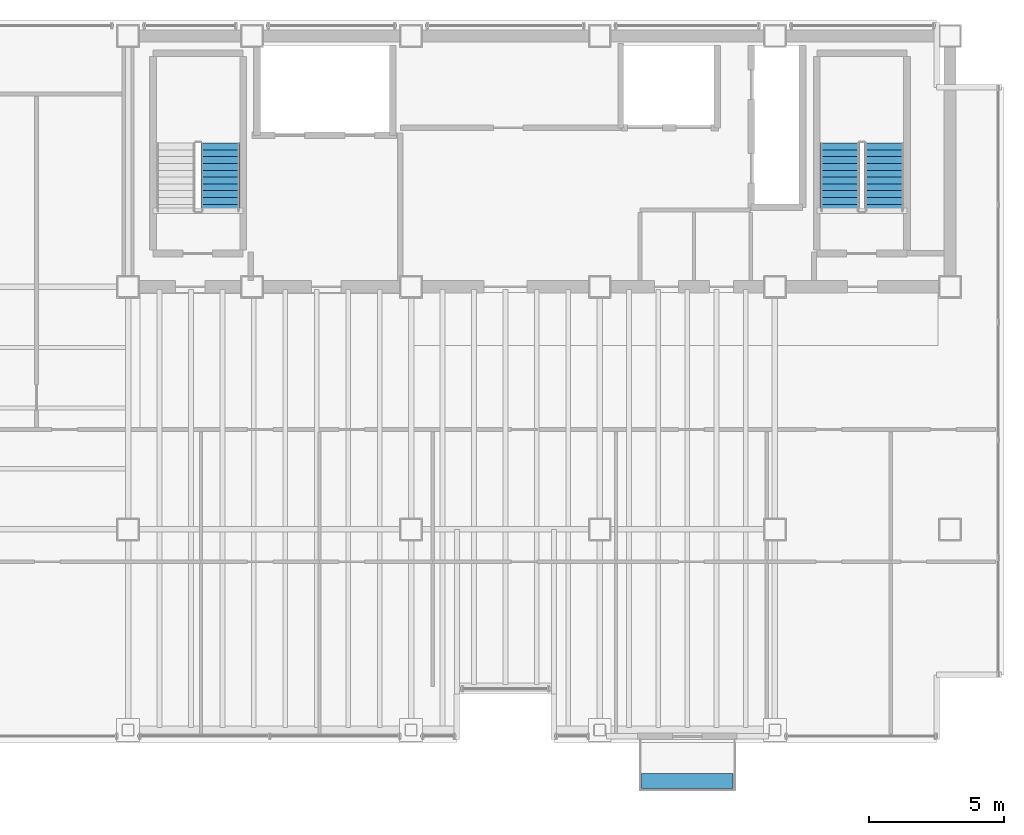
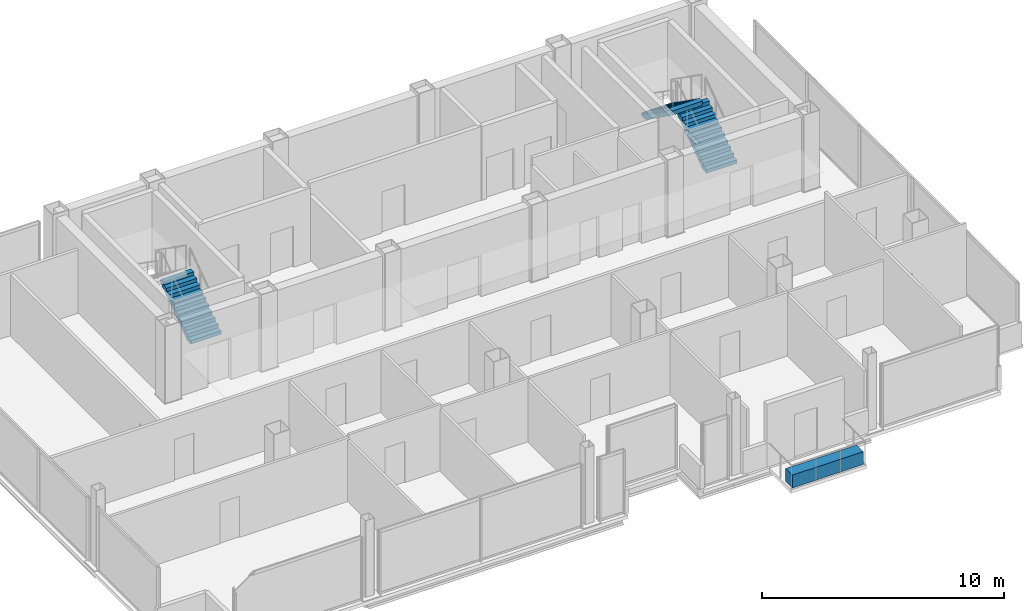
# One storey, part 16 of 17: 3 stair flights, 1 discrete accessory, 2 elements without a shape of their own.
"""IFC4 building model written with IfcOpenShell, lengths in metres."""

from ifc_helpers import new_model, si_unit, direction, frame, origin, origin_2d, place, context, subcontext, project, spatial, polyline, rectangle, outline, extrude, material, layer, layer_set, type_object, element, aggregate, save


model = new_model("IFC4")

# Units and contexts
model_context = context("Model", 3, precision=1e-05, world=origin(), true_north=direction((0.0, 1.0)))
body_context = subcontext(model_context, "Body", "Model", "MODEL_VIEW")
ifc_project = project(units=[si_unit("LENGTHUNIT", "METRE"), si_unit("AREAUNIT", "SQUARE_METRE"), si_unit("VOLUMEUNIT", "CUBIC_METRE"), si_unit("PLANEANGLEUNIT", "RADIAN"), si_unit("MASSUNIT", "GRAM", prefix="KILO")], contexts=[model_context])

# Site, building, storey
site_placement = place(None, origin())
site = spatial("IfcSite", under=ifc_project, at=site_placement, CompositionType="ELEMENT")
building_placement = place(site_placement, origin())
building = spatial("IfcBuilding", under=site, at=building_placement, Name="Noeulbin Bourse Tower", CompositionType="ELEMENT")
storey_placement = place(building_placement, frame((0.0, 0.0, 242.300048828125)))
storey = spatial("IfcBuildingStorey", under=building, at=storey_placement, Name="L60", CompositionType="ELEMENT", Elevation=242.300048828125)

# Stair, stair flight
ifc_material_1 = material(Name="Concrete C40/50", Category="concrete")
stair_type = type_object("IfcStairType", Name="STR-CORE-1560", PredefinedType="HALF_TURN_STAIR", material=ifc_material_1)
stair_1_placement = place(storey_placement, origin())
stair_1 = element("IfcStair", 1, at=stair_1_placement, inside=storey, type_object=stair_type, Name="L60 ST-1", PredefinedType="HALF_TURN_STAIR")
stair_flight_type = type_object("IfcStairFlightType", Name="SFL-CORE-1560", PredefinedType="STRAIGHT", material=ifc_material_1)
stair_flight_1_placement = place(storey_placement, frame((16.925048828125, 31.81005859375, 0.0), z_axis=(0.0, 0.0, 1.0), x_axis=(0.0, 1.0, 0.0)))
stair_flight_1 = element("IfcStairFlight", 2, at=stair_flight_1_placement, type_object=stair_flight_type, Name="ST-1 flight 1", NumberOfRisers=11, NumberOfTreads=10, PredefinedType="STRAIGHT", RiserHeight=0.177272727, TreadLength=0.252, context=body_context, shape_type="SweptSolid", body=[
    extrude(outline(polyline([(0.0, 0.0), (0.0, 0.17724609375), (0.251953125, 0.17724609375), (0.251953125, 0.3544921875), (0.50390625, 0.3544921875), (0.50390625, 0.53173828125), (0.756103515625, 0.53173828125), (0.756103515625, 0.708984375), (1.008056640625, 0.708984375), (1.008056640625, 0.886474609375), (1.260009765625, 0.886474609375), (1.260009765625, 1.063720703125), (1.511962890625, 1.063720703125), (1.511962890625, 1.240966796875), (1.763916015625, 1.240966796875), (1.763916015625, 1.418212890625), (2.01611328125, 1.418212890625), (2.01611328125, 1.595458984375), (2.26806640625, 1.595458984375), (2.26806640625, 1.772705078125), (2.52001953125, 1.772705078125), (2.52001953125, 1.949951171875), (2.52001953125, 1.552734375), (0.312744140625, 0.0), (0.0, 0.0)])), frame((0.0, 0.72509765625, 0.0), z_axis=(0.0, -1.0, 0.0), x_axis=(1.0, 0.0, 0.0)), (0.0, 0.0, 1.0), 1.449951171875),
])
aggregate(stair_1, [stair_flight_1])

# Stair, stair flights
stair_2_placement = place(storey_placement, origin())
stair_2 = element("IfcStair", 3, at=stair_2_placement, inside=storey, type_object=stair_type, Name="L60 ST-2", PredefinedType="HALF_TURN_STAIR")
stair_flight_2_placement = place(storey_placement, frame((41.554931640625, 31.81005859375, 0.0), z_axis=(0.0, 0.0, 1.0), x_axis=(0.0, 1.0, 0.0)))
stair_flight_2 = element("IfcStairFlight", 4, at=stair_flight_2_placement, type_object=stair_flight_type, Name="ST-2 flight 1", NumberOfRisers=11, NumberOfTreads=10, PredefinedType="STRAIGHT", RiserHeight=0.177272727, TreadLength=0.252, context=body_context, shape_type="SweptSolid", body=[
    extrude(outline(polyline([(0.0, 0.0), (0.0, 0.17724609375), (0.251953125, 0.17724609375), (0.251953125, 0.3544921875), (0.50390625, 0.3544921875), (0.50390625, 0.53173828125), (0.756103515625, 0.53173828125), (0.756103515625, 0.708984375), (1.008056640625, 0.708984375), (1.008056640625, 0.886474609375), (1.260009765625, 0.886474609375), (1.260009765625, 1.063720703125), (1.511962890625, 1.063720703125), (1.511962890625, 1.240966796875), (1.763916015625, 1.240966796875), (1.763916015625, 1.418212890625), (2.01611328125, 1.418212890625), (2.01611328125, 1.595458984375), (2.26806640625, 1.595458984375), (2.26806640625, 1.772705078125), (2.52001953125, 1.772705078125), (2.52001953125, 1.949951171875), (2.52001953125, 1.552734375), (0.312744140625, 0.0), (0.0, 0.0)])), frame((0.0, 0.72509765625, 0.0), z_axis=(0.0, -1.0, 0.0), x_axis=(1.0, 0.0, 0.0)), (0.0, 0.0, 1.0), 1.449951171875),
])
stair_flight_3_placement = place(storey_placement, frame((39.905029296875, 34.330078125, 1.949951171875), z_axis=(0.0, 0.0, 1.0), x_axis=(0.0, -1.0, 0.0)))
stair_flight_3 = element("IfcStairFlight", 5, at=stair_flight_3_placement, type_object=stair_flight_type, Name="ST-2 flight 2", NumberOfRisers=11, NumberOfTreads=10, PredefinedType="STRAIGHT", RiserHeight=0.177272727, TreadLength=0.252, context=body_context, shape_type="SweptSolid", body=[
    extrude(outline(polyline([(0.0, 0.0), (0.0, 0.17724609375), (0.251953125, 0.17724609375), (0.251953125, 0.3544921875), (0.50390625, 0.3544921875), (0.50390625, 0.53173828125), (0.756103515625, 0.53173828125), (0.756103515625, 0.708984375), (1.008056640625, 0.708984375), (1.008056640625, 0.886474609375), (1.260009765625, 0.886474609375), (1.260009765625, 1.063720703125), (1.511962890625, 1.063720703125), (1.511962890625, 1.240966796875), (1.763916015625, 1.240966796875), (1.763916015625, 1.418212890625), (2.01611328125, 1.418212890625), (2.01611328125, 1.595458984375), (2.26806640625, 1.595458984375), (2.26806640625, 1.772705078125), (2.52001953125, 1.772705078125), (2.52001953125, 1.949951171875), (2.52001953125, 1.552734375), (0.312744140625, 0.0), (0.0, 0.0)])), frame((0.0, 0.72509765625, 0.0), z_axis=(0.0, -1.0, 0.0), x_axis=(1.0, 0.0, 0.0)), (0.0, 0.0, 1.0), 1.449951171875),
])
aggregate(stair_2, [stair_flight_2, stair_flight_3])

# Discrete accessory
ifc_material_2 = material(Name="Architectural GFRC Concrete C40/50", Category="concrete")
ifc_layer = layer(ifc_material_2, 0.64990234375)
ifc_layer_set = layer_set([ifc_layer], Name="Architectural GFRC Concrete C40/50")
discrete_accessory_type = type_object("IfcDiscreteAccessoryType", Name="PLANTER-BOX-3600", PredefinedType="USERDEFINED", material=ifc_layer_set)
discrete_accessory_placement = place(storey_placement, frame((34.25, 10.659912109375, 0.0), z_axis=(0.0, 0.0, 1.0), x_axis=(1.0, 0.0, 0.0)))
element("IfcDiscreteAccessory", 6, at=discrete_accessory_placement, inside=storey, type_object=discrete_accessory_type, Name="Integrated Balcony Tree Planter Box L60", ObjectType="PLANTER", PredefinedType="USERDEFINED", context=body_context, shape_type="SweptSolid", body=[
    extrude(rectangle(XDim=3.39990234375, YDim=0.550048828125, at=origin_2d()), origin(), (0.0, 0.0, 1.0), 0.64990234375),
])

save(model, "model.ifc")
